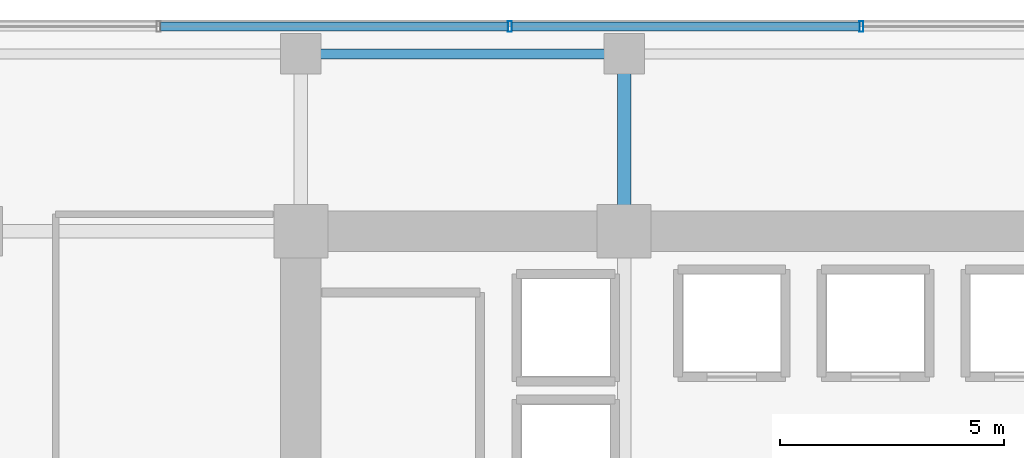
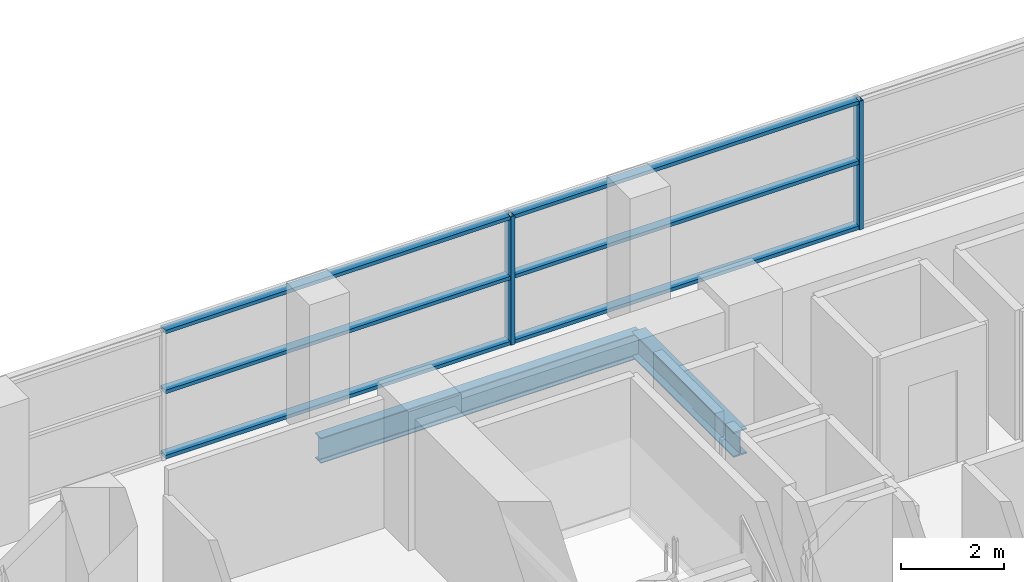
# One storey, part 19 of 31: 8 members, 2 beams, 1 element without a shape of its own.
"""IFC4 building model written with IfcOpenShell, lengths in metres."""

from ifc_helpers import new_model, si_unit, direction, frame, origin, origin_2d, place, context, subcontext, project, spatial, hollow_rectangle, i_section, extrude, source, transform, mapped, material, layer, layer_set, material_profile, profile_set, type_object, element, aggregate, save


model = new_model("IFC4")

# Units and contexts
model_context = context("Model", 3, precision=1e-05, world=origin(), true_north=direction((0.0, 1.0)))
body_context = subcontext(model_context, "Body", "Model", "MODEL_VIEW")
ifc_project = project(units=[si_unit("LENGTHUNIT", "METRE"), si_unit("AREAUNIT", "SQUARE_METRE"), si_unit("VOLUMEUNIT", "CUBIC_METRE"), si_unit("PLANEANGLEUNIT", "RADIAN"), si_unit("MASSUNIT", "GRAM", prefix="KILO")], contexts=[model_context])

# Site, building, storey
site_placement = place(None, origin())
site = spatial("IfcSite", under=ifc_project, at=site_placement, CompositionType="ELEMENT")
building_placement = place(site_placement, origin())
building = spatial("IfcBuilding", under=site, at=building_placement, Name="Zarnakvel Exchange Tower", CompositionType="ELEMENT")
storey_placement = place(building_placement, frame((0.0, 0.0, 67.0)))
storey = spatial("IfcBuildingStorey", under=building, at=storey_placement, Name="L18", CompositionType="ELEMENT", Elevation=67.0)

# Beams
ifc_material_1 = material(Name="Steel S355", Category="steel")
ifc_material_profile_1 = material_profile(ifc_material_1, i_section(OverallWidth=0.300048828125, OverallDepth=0.60009765625, WebThickness=0.015380859375, FlangeThickness=0.030029296875, FilletRadius=0.027099609375, at=origin_2d()))
ifc_profile_set_1 = profile_set([ifc_material_profile_1], Name="Steel S355")
beam_type_1 = type_object("IfcBeamType", Name="G-04", PredefinedType="BEAM", material=ifc_profile_set_1)
beam_1_placement = place(storey_placement, frame((-7.199951171875, 13.5, -0.52490234375), z_axis=(0.0, 1.0, 0.0), x_axis=(-1.0, 0.0, 0.0)))
element("IfcBeam", 1, at=beam_1_placement, inside=storey, type_object=beam_type_1, Name="L18 Tower N-S Frame Beam", PredefinedType="BEAM", context=body_context, shape_type="SweptSolid", body=[
    extrude(i_section(OverallWidth=0.300048828125, OverallDepth=0.60009765625, WebThickness=0.015380859375, FlangeThickness=0.030029296875, FilletRadius=0.027099609375, at=origin_2d()), origin(), (0.0, 0.0, 1.0), 3.949951171875),
])
ifc_material_profile_2 = material_profile(ifc_material_1, i_section(OverallWidth=0.219970703125, OverallDepth=0.60009765625, WebThickness=0.011962890625, FlangeThickness=0.01904296875, FilletRadius=0.02392578125, at=origin_2d()))
ifc_profile_set_2 = profile_set([ifc_material_profile_2], Name="Steel S355")
beam_type_2 = type_object("IfcBeamType", Name="SP-01", PredefinedType="SPANDREL", material=ifc_profile_set_2)
beam_2_placement = place(storey_placement, frame((-14.39990234375, 17.449951171875, -0.52490234375), z_axis=(1.0, 0.0, 0.0), x_axis=(0.0, 1.0, 0.0)))
element("IfcBeam", 2, at=beam_2_placement, inside=storey, type_object=beam_type_2, Name="L18 Tower E-W Frame Beam", PredefinedType="SPANDREL", context=body_context, shape_type="SweptSolid", body=[
    extrude(i_section(OverallWidth=0.219970703125, OverallDepth=0.60009765625, WebThickness=0.011962890625, FlangeThickness=0.01904296875, FilletRadius=0.02392578125, at=origin_2d()), origin(), (0.0, 0.0, 1.0), 7.199951171875),
])

# Curtain wall, members
ifc_material_2 = material(Name="Architectural Bronze Anodised Aluminium", Category="aluminium")
ifc_layer = layer(ifc_material_2, 0.239990234375)
ifc_layer_set = layer_set([ifc_layer], Name="Architectural Bronze Anodised Aluminium")
curtain_wall_type = type_object("IfcCurtainWallType", Name="CW-02", PredefinedType="NOTDEFINED", material=ifc_layer_set)
curtain_wall_placement = place(storey_placement, origin())
curtain_wall = element("IfcCurtainWall", 3, at=curtain_wall_placement, inside=storey, type_object=curtain_wall_type, Name="L18 Curtain Wall CW-L18-N1 (CW-02)", PredefinedType="NOTDEFINED")
ifc_material_profile_3 = material_profile(ifc_material_2, hollow_rectangle(XDim=0.199951171875, YDim=0.0849609375, WallThickness=0.0048828125, at=origin_2d()))
ifc_profile_set_3 = profile_set([ifc_material_profile_3], Name="Architectural Bronze Anodised Aluminium")
member_type_1 = type_object("IfcMemberType", Name="CWT-02", PredefinedType="USERDEFINED", material=ifc_profile_set_3)
shared_shape_1 = source(origin(), body_context, "Body", "SweptSolid", [
    extrude(hollow_rectangle(XDim=0.199951171875, YDim=0.0849609375, WallThickness=0.0048828125, at=origin_2d()), origin(), (0.0, 0.0, 1.0), 7.738525390625),
])
member_1_placement = place(storey_placement, frame((-17.5263671875, 18.06005859375, 0.04248046875), z_axis=(1.0, 0.0, 0.0), x_axis=(0.0, 1.0, 0.0)))
member_1 = element("IfcMember", 4, at=member_1_placement, type_object=member_type_1, Name="CW-02 transom 2.1", ObjectType="TRANSOM", PredefinedType="USERDEFINED", context=body_context, shape_type="MappedRepresentation", body=[
    mapped(shared_shape_1, transform((0.0, 0.0, 0.0), x_axis=(1.0, 0.0, 0.0), y_axis=(0.0, 1.0, 0.0), z_axis=(0.0, 0.0, 1.0), scale=1.0)),
])
member_2_placement = place(storey_placement, frame((-17.5263671875, 18.06005859375, 1.588623046875), z_axis=(1.0, 0.0, 0.0), x_axis=(0.0, 1.0, 0.0)))
member_2 = element("IfcMember", 5, at=member_2_placement, type_object=member_type_1, Name="CW-02 transom 2.2", ObjectType="TRANSOM", PredefinedType="USERDEFINED", context=body_context, shape_type="MappedRepresentation", body=[
    mapped(shared_shape_1, transform((0.0, 0.0, 0.0), x_axis=(1.0, 0.0, 0.0), y_axis=(0.0, 1.0, 0.0), z_axis=(0.0, 0.0, 1.0), scale=1.0)),
])
member_3_placement = place(storey_placement, frame((-17.5263671875, 18.06005859375, 3.012451171875), z_axis=(1.0, 0.0, 0.0), x_axis=(0.0, 1.0, 0.0)))
member_3 = element("IfcMember", 6, at=member_3_placement, type_object=member_type_1, Name="CW-02 transom 2.3", ObjectType="TRANSOM", PredefinedType="USERDEFINED", context=body_context, shape_type="MappedRepresentation", body=[
    mapped(shared_shape_1, transform((0.0, 0.0, 0.0), x_axis=(1.0, 0.0, 0.0), y_axis=(0.0, 1.0, 0.0), z_axis=(0.0, 0.0, 1.0), scale=1.0)),
])
member_4_placement = place(storey_placement, frame((-9.69775390625, 18.06005859375, 0.04248046875), z_axis=(1.0, 0.0, 0.0), x_axis=(0.0, 1.0, 0.0)))
member_4 = element("IfcMember", 7, at=member_4_placement, type_object=member_type_1, Name="CW-02 transom 3.1", ObjectType="TRANSOM", PredefinedType="USERDEFINED", context=body_context, shape_type="MappedRepresentation", body=[
    mapped(shared_shape_1, transform((0.0, 0.0, 0.0), x_axis=(1.0, 0.0, 0.0), y_axis=(0.0, 1.0, 0.0), z_axis=(0.0, 0.0, 1.0), scale=1.0)),
])
member_5_placement = place(storey_placement, frame((-9.69775390625, 18.06005859375, 1.588623046875), z_axis=(1.0, 0.0, 0.0), x_axis=(0.0, 1.0, 0.0)))
member_5 = element("IfcMember", 8, at=member_5_placement, type_object=member_type_1, Name="CW-02 transom 3.2", ObjectType="TRANSOM", PredefinedType="USERDEFINED", context=body_context, shape_type="MappedRepresentation", body=[
    mapped(shared_shape_1, transform((0.0, 0.0, 0.0), x_axis=(1.0, 0.0, 0.0), y_axis=(0.0, 1.0, 0.0), z_axis=(0.0, 0.0, 1.0), scale=1.0)),
])
member_6_placement = place(storey_placement, frame((-9.69775390625, 18.06005859375, 3.012451171875), z_axis=(1.0, 0.0, 0.0), x_axis=(0.0, 1.0, 0.0)))
member_6 = element("IfcMember", 9, at=member_6_placement, type_object=member_type_1, Name="CW-02 transom 3.3", ObjectType="TRANSOM", PredefinedType="USERDEFINED", context=body_context, shape_type="MappedRepresentation", body=[
    mapped(shared_shape_1, transform((0.0, 0.0, 0.0), x_axis=(1.0, 0.0, 0.0), y_axis=(0.0, 1.0, 0.0), z_axis=(0.0, 0.0, 1.0), scale=1.0)),
])
ifc_material_profile_4 = material_profile(ifc_material_2, hollow_rectangle(XDim=0.239990234375, YDim=0.090087890625, WallThickness=0.006103515625, at=origin_2d()))
ifc_profile_set_4 = profile_set([ifc_material_profile_4], Name="Architectural Bronze Anodised Aluminium")
member_type_2 = type_object("IfcMemberType", Name="CWM-02", PredefinedType="MULLION", material=ifc_profile_set_4)
shared_shape_2 = source(origin(), body_context, "Body", "SweptSolid", [
    extrude(hollow_rectangle(XDim=0.239990234375, YDim=0.090087890625, WallThickness=0.006103515625, at=origin_2d()), origin(), (0.0, 0.0, 1.0), 3.054931640625),
])
member_7_placement = place(storey_placement, frame((-9.742919921875, 18.06005859375, 0.0), z_axis=(0.0, 0.0, 1.0), x_axis=(0.0, 1.0, 0.0)))
member_7 = element("IfcMember", 10, at=member_7_placement, type_object=member_type_2, Name="CW-02 mullion 3", PredefinedType="MULLION", context=body_context, shape_type="MappedRepresentation", body=[
    mapped(shared_shape_2, transform((0.0, 0.0, 0.0), x_axis=(1.0, 0.0, 0.0), y_axis=(0.0, 1.0, 0.0), z_axis=(0.0, 0.0, 1.0), scale=1.0)),
])
member_8_placement = place(storey_placement, frame((-1.914306640625, 18.06005859375, 0.0), z_axis=(0.0, 0.0, 1.0), x_axis=(0.0, 1.0, 0.0)))
member_8 = element("IfcMember", 11, at=member_8_placement, type_object=member_type_2, Name="CW-02 mullion 4", PredefinedType="MULLION", context=body_context, shape_type="MappedRepresentation", body=[
    mapped(shared_shape_2, transform((0.0, 0.0, 0.0), x_axis=(1.0, 0.0, 0.0), y_axis=(0.0, 1.0, 0.0), z_axis=(0.0, 0.0, 1.0), scale=1.0)),
])
aggregate(curtain_wall, [member_7, member_8, member_1, member_2, member_3, member_4, member_5, member_6])

save(model, "model.ifc")
